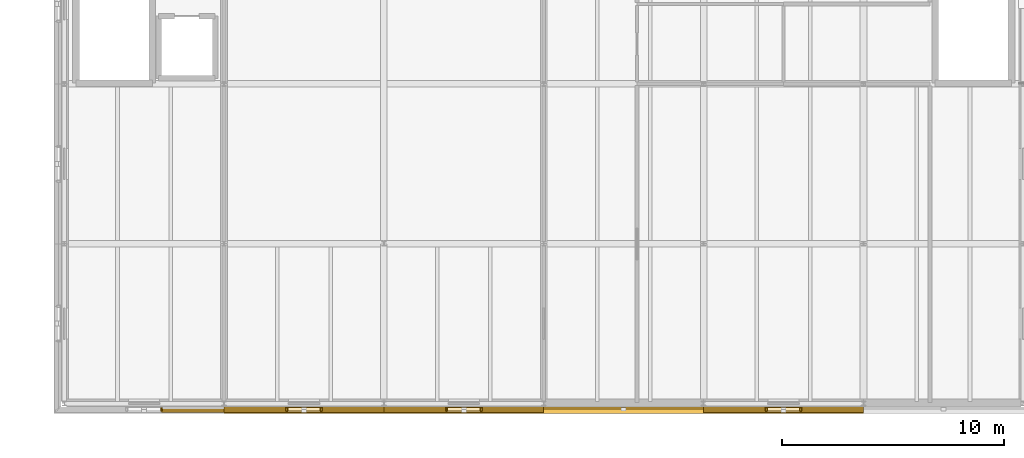
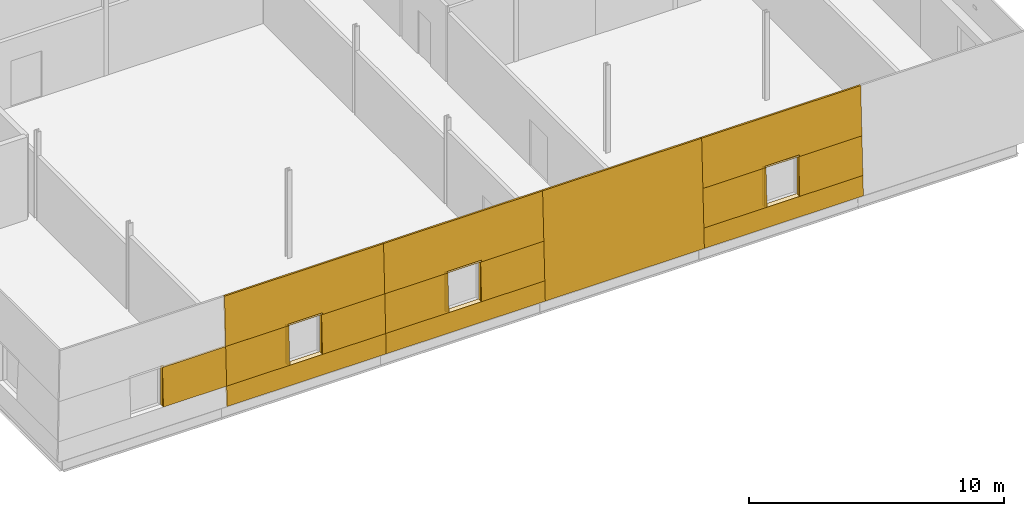
# One storey, part 89 of 91: 27 coverings.
"""IFC4 building model written with IfcOpenShell, lengths in metres."""

import ifcopenshell
import ifcopenshell.guid

model = None  # the IFC model being written
_history = None  # IfcOwnerHistory: only IFC2X3 demands one
_inside = {}  # id of a spatial element -> (the spatial element, [elements in it])
_under = {}  # id of a project, library or spatial element -> (it, [spatial elements below it])
_declared = {}  # id of a project -> (the project, [libraries it declares])
_typed = {}  # id of a type object -> (the type object, [elements of that type])
_made_of = {}  # id of a material, layer set ... -> (it, [elements and type objects made of it])


def new_model(schema):
    """Start an empty IFC model of exactly this schema.

    Asked for "IFC4X3", IfcOpenShell would pick the latest addendum, in which some entities
    have other attributes; the version numbers below select the first issue.
    IFC2X3 requires an IfcOwnerHistory on every rooted entity: one is made here for all.
    """
    global model, _history
    if schema == "IFC4X3":
        model = ifcopenshell.file(schema_version=(4, 3, 0, 0))
    else:
        model = ifcopenshell.file(schema=schema)
    _inside.clear()
    _under.clear()
    _declared.clear()
    _typed.clear()
    _made_of.clear()
    _history = None
    if model.schema == "IFC2X3":
        org = make("IfcOrganization", Name="unknown")
        user = make(
            "IfcPersonAndOrganization",
            ThePerson=make("IfcPerson", FamilyName="unknown"),
            TheOrganization=org,
        )
        app = make(
            "IfcApplication",
            ApplicationDeveloper=org,
            Version="unknown",
            ApplicationFullName="unknown",
            ApplicationIdentifier="unknown",
        )
        _history = make(
            "IfcOwnerHistory",
            OwningUser=user,
            OwningApplication=app,
            ChangeAction="ADDED",
            CreationDate=0,
        )
    return model


def make(cls, **values):
    """One entity of the class cls with the attributes given. An attribute that is None is left unset."""
    return model.create_entity(
        cls, **{name: value for name, value in values.items() if value is not None}
    )


def rooted(cls, **values):
    """An entity with a GlobalId (a new one), such as an element, a storey or a relation."""
    return make(cls, GlobalId=ifcopenshell.guid.new(), OwnerHistory=_history, **values)


def si_unit(unit_type, name, prefix=None):
    """IfcSIUnit, for example si_unit("LENGTHUNIT", "METRE", prefix="MILLI")."""
    return make("IfcSIUnit", UnitType=unit_type, Prefix=prefix, Name=name)


def assignment(units):
    """IfcUnitAssignment: the units of a project."""
    return None if units is None else make("IfcUnitAssignment", Units=units)


def point(xyz):
    """IfcCartesianPoint."""
    return None if xyz is None else make("IfcCartesianPoint", Coordinates=xyz)


def direction(xyz):
    """IfcDirection."""
    return None if xyz is None else make("IfcDirection", DirectionRatios=xyz)


def frame(location, z_axis=None, x_axis=None):
    """IfcAxis2Placement3D, a coordinate frame: its origin and axes. An axis left out is left unset."""
    return make(
        "IfcAxis2Placement3D",
        Location=point(location),
        Axis=direction(z_axis),
        RefDirection=direction(x_axis),
    )


def origin():
    """The frame at (0, 0, 0) with its axes left unset."""
    return frame((0.0, 0.0, 0.0))


def place(relative_to, where):
    """IfcLocalPlacement: puts the frame where relative to a parent placement (None: the world)."""
    return make(
        "IfcLocalPlacement", PlacementRelTo=relative_to, RelativePlacement=where
    )


def context(
    kind, dimensions, precision=None, world=None, true_north=None, identifier=None
):
    """IfcGeometricRepresentationContext, for example the 3D "Model" context."""
    return make(
        "IfcGeometricRepresentationContext",
        ContextIdentifier=identifier,
        ContextType=kind,
        CoordinateSpaceDimension=dimensions,
        Precision=precision,
        WorldCoordinateSystem=world,
        TrueNorth=true_north,
    )


def subcontext(parent, identifier, kind, view, scale=None):
    """IfcGeometricRepresentationSubContext, for example "Body" below "Model"."""
    return make(
        "IfcGeometricRepresentationSubContext",
        ContextIdentifier=identifier,
        ContextType=kind,
        ParentContext=parent,
        TargetScale=scale,
        TargetView=view,
    )


def project(units=None, contexts=None):
    """IfcProject with its units and contexts."""
    return rooted(
        "IfcProject",
        Name="project",
        RepresentationContexts=contexts,
        UnitsInContext=assignment(units),
    )


def spatial(cls, under=None, at=None, **own):
    """A site, building, storey or space (cls), placed at a placement, below another one or the project."""
    s = rooted(cls, ObjectPlacement=at, **own)
    if under is not None:
        _under.setdefault(under.id(), (under, []))[1].append(s)
    return s


def polyline(points):
    """IfcPolyline through the points."""
    return make("IfcPolyline", Points=[point(p) for p in points])


def outline(outer, holes=None, kind="AREA"):
    """IfcArbitraryClosedProfileDef: a profile drawn as a closed curve; with holes, ...WithVoids."""
    if holes is None:
        return make("IfcArbitraryClosedProfileDef", ProfileType=kind, OuterCurve=outer)
    return make(
        "IfcArbitraryProfileDefWithVoids",
        ProfileType=kind,
        OuterCurve=outer,
        InnerCurves=holes,
    )


def extrude(swept, where, along, depth):
    """IfcExtrudedAreaSolid: the profile swept, set in the frame where, extruded along a direction by depth."""
    return make(
        "IfcExtrudedAreaSolid",
        SweptArea=swept,
        Position=where,
        ExtrudedDirection=direction(along),
        Depth=depth,
    )


def shape(context_of_items, identifier, shape_type, items):
    """IfcShapeRepresentation: the items that make up one representation, for example the "Body"."""
    return make(
        "IfcShapeRepresentation",
        ContextOfItems=context_of_items,
        RepresentationIdentifier=identifier,
        RepresentationType=shape_type,
        Items=items,
    )


def material(Name=None, Category=None):
    """IfcMaterial."""
    return make("IfcMaterial", Name=Name, Category=Category)


def layer(
    of_material, thickness, ventilated=None, Name=None, Category=None, Priority=None
):
    """IfcMaterialLayer: one layer of a wall or slab, of a material (None: an air gap)."""
    return make(
        "IfcMaterialLayer",
        Material=of_material,
        LayerThickness=thickness,
        IsVentilated=ventilated,
        Name=Name,
        Category=Category,
        Priority=Priority,
    )


def layer_set(layers, Name=None):
    """IfcMaterialLayerSet."""
    return make("IfcMaterialLayerSet", MaterialLayers=layers, LayerSetName=Name)


def made_of(thing, what):
    """Note that an element or type object is made of a material, layer set ...; save() writes the relation."""
    if what is not None:
        _made_of.setdefault(what.id(), (what, []))[1].append(thing)
    return thing


def type_object(cls, material=None, **own):
    """A type object (cls), such as IfcWallType, which elements share."""
    return made_of(rooted(cls, **own), material)


def element(
    cls,
    number,
    at=None,
    inside=None,
    cuts=None,
    type_object=None,
    material=None,
    context=None,
    identifier="Body",
    shape_type=None,
    held_by="IfcProductDefinitionShape",
    body=None,
    shapes=None,
    **own,
):
    """One element of the class cls, such as IfcWall. Its Tag is "e" and its number.

    at: its placement. inside: the storey or other place that contains it. cuts: it is an
    opening in that element (IfcRelVoidsElement). A single representation is given by context,
    identifier, shape_type and body (its items); several are given by shapes. held_by: the class
    of the entity that holds the representations. save() writes the other relations.
    """
    e = rooted(cls, Tag="e%d" % number, ObjectPlacement=at, **own)
    if body is not None:
        shapes = [shape(context, identifier, shape_type, body)]
    if shapes is not None:
        e.Representation = make(held_by, Representations=shapes)
    if inside is not None:
        _inside.setdefault(inside.id(), (inside, []))[1].append(e)
    if cuts is not None:
        rooted(
            "IfcRelVoidsElement", RelatingBuildingElement=cuts, RelatedOpeningElement=e
        )
    if type_object is not None:
        _typed.setdefault(type_object.id(), (type_object, []))[1].append(e)
    return made_of(e, material)


def aggregate(whole, parts):
    """IfcRelAggregates: a whole, such as a stair, and the parts it consists of."""
    return rooted("IfcRelAggregates", RelatingObject=whole, RelatedObjects=parts)


def save(model, path):
    """Write the relations noted so far, then the file.

    IfcRelAggregates (storeys below a building ...), IfcRelContainedInSpatialStructure (elements
    in a storey), IfcRelDefinesByType, IfcRelAssociatesMaterial and IfcRelDeclares: one each for
    every whole, place, type object, material and project.
    """
    for whole, parts in _under.values():
        aggregate(whole, parts)
    for where, things in _inside.values():
        rooted(
            "IfcRelContainedInSpatialStructure",
            RelatedElements=things,
            RelatingStructure=where,
        )
    for kind, things in _typed.values():
        rooted("IfcRelDefinesByType", RelatedObjects=things, RelatingType=kind)
    for what, things in _made_of.values():
        rooted("IfcRelAssociatesMaterial", RelatedObjects=things, RelatingMaterial=what)
    for by, libraries in _declared.values():
        rooted("IfcRelDeclares", RelatingContext=by, RelatedDefinitions=libraries)
    model.write(path)


model = new_model("IFC4")

# Units and contexts
model_context = context("Model", 3, precision=1e-05, world=origin(), true_north=direction((0.0, 1.0)))
body_context = subcontext(model_context, "Body", "Model", "MODEL_VIEW")
ifc_project = project(units=[si_unit("LENGTHUNIT", "METRE"), si_unit("AREAUNIT", "SQUARE_METRE"), si_unit("VOLUMEUNIT", "CUBIC_METRE"), si_unit("PLANEANGLEUNIT", "RADIAN"), si_unit("MASSUNIT", "GRAM", prefix="KILO")], contexts=[model_context])

# Site, building, storey
site_placement = place(None, origin())
site = spatial("IfcSite", under=ifc_project, at=site_placement, CompositionType="ELEMENT")
building_placement = place(site_placement, origin())
building = spatial("IfcBuilding", under=site, at=building_placement, Name="Narikvali Park Central Library", CompositionType="ELEMENT")
storey_placement = place(building_placement, frame((0.0, 0.0, 14.39990234375)))
storey = spatial("IfcBuildingStorey", under=building, at=storey_placement, Name="L03", CompositionType="ELEMENT", Elevation=14.39990234375)

# Coverings
ifc_material = material(Name="White Honed Limestone Cladding", Category="masonry")
ifc_layer_1 = layer(ifc_material, 0.0849609375, Name="White Honed Limestone Cladding")
ifc_layer_set_1 = layer_set([ifc_layer_1], Name="White Honed Limestone Cladding")
covering_type_1 = type_object("IfcCoveringType", Name="Battered White Limestone Facade Cladding Panel", PredefinedType="CLADDING", material=ifc_layer_set_1)
covering_1_placement = place(storey_placement, frame((126.739990234375, -0.411865234375, 0.9501953125), z_axis=(0.0, -0.999164100603, 0.040879090826), x_axis=(1.0, 0.0, 0.0)))
element("IfcCovering", 1, at=covering_1_placement, inside=storey, type_object=covering_type_1, Name="V6 L03 S Battered Limestone Jamb Pier R B01", PredefinedType="CLADDING", context=body_context, shape_type="SweptSolid", body=[
    extrude(outline(polyline([(0.0, 0.0), (2.860107421875, 0.0), (2.860107421875, 1.8514011006891744), (0.0, 1.8514011006891744), (0.0, 0.0)])), origin(), (0.0, 0.0, -1.0), 0.0849609375),
])
covering_2_placement = place(storey_placement, frame((129.60009765625, -0.45068359375, 0.0), z_axis=(0.0, -0.999166557991, 0.040818983227), x_axis=(1.0, 0.0, 0.0)))
element("IfcCovering", 2, at=covering_2_placement, inside=storey, type_object=covering_type_1, Name="V6 L03 S Battered Limestone Spandrel B02", PredefinedType="CLADDING", context=body_context, shape_type="SweptSolid", body=[
    extrude(outline(polyline([(0.0, 0.0), (7.199951171875, 0.0), (7.199951171875, 0.9509879057703833), (0.0, 0.9509879057703833), (0.0, 0.0)])), origin(), (0.0, 0.0, -1.0), 0.0849609375),
])
covering_3_placement = place(storey_placement, frame((129.60009765625, -0.336181640625, 2.800048828125), z_axis=(0.0, -0.999163385357, 0.040896569066), x_axis=(1.0, 0.0, 0.0)))
element("IfcCovering", 3, at=covering_3_placement, inside=storey, type_object=covering_type_1, Name="V6 L03 S Battered Limestone Lintel B02", PredefinedType="CLADDING", context=body_context, shape_type="SweptSolid", body=[
    extrude(outline(polyline([(0.0, 0.0), (7.199951171875, 0.0), (7.199951171875, 2.352065428628229), (0.0, 2.352065428628229), (0.0, 0.0)])), origin(), (0.0, 0.0, -1.0), 0.0849609375),
])
covering_4_placement = place(storey_placement, frame((129.60009765625, -0.411865234375, 0.9501953125), z_axis=(0.0, -0.999164100603, 0.040879090826), x_axis=(1.0, 0.0, 0.0)))
element("IfcCovering", 4, at=covering_4_placement, inside=storey, type_object=covering_type_1, Name="V6 L03 S Battered Limestone Jamb Pier L B02", PredefinedType="CLADDING", context=body_context, shape_type="SweptSolid", body=[
    extrude(outline(polyline([(0.0, 0.0), (2.85986328125, 0.0), (2.85986328125, 1.8514011006891746), (0.0, 1.8514011006891746), (0.0, 0.0)])), origin(), (0.0, 0.0, -1.0), 0.0849609375),
])
covering_5_placement = place(storey_placement, frame((133.93994140625, -0.411865234375, 0.9501953125), z_axis=(0.0, -0.999164100603, 0.040879090826), x_axis=(1.0, 0.0, 0.0)))
element("IfcCovering", 5, at=covering_5_placement, inside=storey, type_object=covering_type_1, Name="V6 L03 S Battered Limestone Jamb Pier R B02", PredefinedType="CLADDING", context=body_context, shape_type="SweptSolid", body=[
    extrude(outline(polyline([(0.0, 0.0), (2.860107421875, 0.0), (2.860107421875, 1.8514011006891744), (0.0, 1.8514011006891744), (0.0, 0.0)])), origin(), (0.0, 0.0, -1.0), 0.0849609375),
])
covering_6_placement = place(storey_placement, frame((136.800048828125, -0.45068359375, 0.0), z_axis=(0.0, -0.999166557991, 0.040818983227), x_axis=(1.0, 0.0, 0.0)))
element("IfcCovering", 6, at=covering_6_placement, inside=storey, type_object=covering_type_1, Name="V6 L03 S Battered Limestone Spandrel B03", PredefinedType="CLADDING", context=body_context, shape_type="SweptSolid", body=[
    extrude(outline(polyline([(0.0, 0.0), (7.199951171875, 0.0), (7.199951171875, 0.9509879057703833), (0.0, 0.9509879057703833), (0.0, 0.0)])), origin(), (0.0, 0.0, -1.0), 0.0849609375),
])
covering_7_placement = place(storey_placement, frame((136.800048828125, -0.336181640625, 2.800048828125), z_axis=(0.0, -0.999163385357, 0.040896569066), x_axis=(1.0, 0.0, 0.0)))
element("IfcCovering", 7, at=covering_7_placement, inside=storey, type_object=covering_type_1, Name="V6 L03 S Battered Limestone Lintel B03", PredefinedType="CLADDING", context=body_context, shape_type="SweptSolid", body=[
    extrude(outline(polyline([(0.0, 0.0), (7.199951171875, 0.0), (7.199951171875, 2.352065428628229), (0.0, 2.352065428628229), (0.0, 0.0)])), origin(), (0.0, 0.0, -1.0), 0.0849609375),
])
covering_8_placement = place(storey_placement, frame((136.800048828125, -0.411865234375, 0.9501953125), z_axis=(0.0, -0.999164100603, 0.040879090826), x_axis=(1.0, 0.0, 0.0)))
element("IfcCovering", 8, at=covering_8_placement, inside=storey, type_object=covering_type_1, Name="V6 L03 S Battered Limestone Jamb Pier L B03", PredefinedType="CLADDING", context=body_context, shape_type="SweptSolid", body=[
    extrude(outline(polyline([(0.0, 0.0), (2.85986328125, 0.0), (2.85986328125, 1.8514011006891746), (0.0, 1.8514011006891746), (0.0, 0.0)])), origin(), (0.0, 0.0, -1.0), 0.0849609375),
])
covering_9_placement = place(storey_placement, frame((141.139892578125, -0.411865234375, 0.9501953125), z_axis=(0.0, -0.999164100603, 0.040879090826), x_axis=(1.0, 0.0, 0.0)))
element("IfcCovering", 9, at=covering_9_placement, inside=storey, type_object=covering_type_1, Name="V6 L03 S Battered Limestone Jamb Pier R B03", PredefinedType="CLADDING", context=body_context, shape_type="SweptSolid", body=[
    extrude(outline(polyline([(0.0, 0.0), (2.860107421875, 0.0), (2.860107421875, 1.8514011006891744), (0.0, 1.8514011006891744), (0.0, 0.0)])), origin(), (0.0, 0.0, -1.0), 0.0849609375),
])
covering_10_placement = place(storey_placement, frame((144.0, -0.45068359375, 0.0), z_axis=(0.0, -0.999164228006, 0.040875976713), x_axis=(1.0, 0.0, 0.0)))
element("IfcCovering", 10, at=covering_10_placement, inside=storey, type_object=covering_type_1, Name="V6 L03 S Battered Limestone Panel B04", PredefinedType="CLADDING", context=body_context, shape_type="SweptSolid", body=[
    extrude(outline(polyline([(0.0, 0.0), (7.199951171875, 0.0), (7.199951171875, 5.1544544330321616), (0.0, 5.1544544330321616), (0.0, 0.0)])), origin(), (0.0, 0.0, -1.0), 0.0849609375),
])
covering_11_placement = place(storey_placement, frame((151.199951171875, -0.45068359375, 0.0), z_axis=(0.0, -0.999166557991, 0.040818983227), x_axis=(1.0, 0.0, 0.0)))
element("IfcCovering", 11, at=covering_11_placement, inside=storey, type_object=covering_type_1, Name="V6 L03 S Battered Limestone Spandrel B05", PredefinedType="CLADDING", context=body_context, shape_type="SweptSolid", body=[
    extrude(outline(polyline([(0.0, 0.0), (7.199951171875, 0.0), (7.199951171875, 0.9509879057703833), (0.0, 0.9509879057703833), (0.0, 0.0)])), origin(), (0.0, 0.0, -1.0), 0.0849609375),
])
covering_12_placement = place(storey_placement, frame((151.199951171875, -0.336181640625, 2.800048828125), z_axis=(0.0, -0.999163385357, 0.040896569066), x_axis=(1.0, 0.0, 0.0)))
element("IfcCovering", 12, at=covering_12_placement, inside=storey, type_object=covering_type_1, Name="V6 L03 S Battered Limestone Lintel B05", PredefinedType="CLADDING", context=body_context, shape_type="SweptSolid", body=[
    extrude(outline(polyline([(0.0, 0.0), (7.199951171875, 0.0), (7.199951171875, 2.352065428628229), (0.0, 2.352065428628229), (0.0, 0.0)])), origin(), (0.0, 0.0, -1.0), 0.0849609375),
])
covering_13_placement = place(storey_placement, frame((151.199951171875, -0.411865234375, 0.9501953125), z_axis=(0.0, -0.999164100603, 0.040879090826), x_axis=(1.0, 0.0, 0.0)))
element("IfcCovering", 13, at=covering_13_placement, inside=storey, type_object=covering_type_1, Name="V6 L03 S Battered Limestone Jamb Pier L B05", PredefinedType="CLADDING", context=body_context, shape_type="SweptSolid", body=[
    extrude(outline(polyline([(0.0, 0.0), (2.860107421875, 0.0), (2.860107421875, 1.8514011006891744), (0.0, 1.8514011006891744), (0.0, 0.0)])), origin(), (0.0, 0.0, -1.0), 0.0849609375),
])
covering_14_placement = place(storey_placement, frame((155.5400390625, -0.411865234375, 0.9501953125), z_axis=(0.0, -0.999164100603, 0.040879090826), x_axis=(1.0, 0.0, 0.0)))
element("IfcCovering", 14, at=covering_14_placement, inside=storey, type_object=covering_type_1, Name="V6 L03 S Battered Limestone Jamb Pier R B05", PredefinedType="CLADDING", context=body_context, shape_type="SweptSolid", body=[
    extrude(outline(polyline([(0.0, 0.0), (2.85986328125, 0.0), (2.85986328125, 1.8514011006891746), (0.0, 1.8514011006891746), (0.0, 0.0)])), origin(), (0.0, 0.0, -1.0), 0.0849609375),
])
ifc_layer_2 = layer(ifc_material, 0.080078125, Name="White Honed Limestone Cladding")
ifc_layer_set_2 = layer_set([ifc_layer_2], Name="White Honed Limestone Cladding")
covering_type_2 = type_object("IfcCoveringType", Name="Deep Carved White Limestone Window Reveal", PredefinedType="CLADDING", material=ifc_layer_set_2)
covering_15_placement = place(storey_placement, frame((0.0, 0.0, 0.9501953125)))
element("IfcCovering", 15, at=covering_15_placement, inside=storey, type_object=covering_type_2, Name="Deep Stone Reveal Jamb R V6-RVL-L03-S-B01", PredefinedType="CLADDING", context=body_context, shape_type="SweptSolid", body=[
    extrude(outline(polyline([(126.739990234375, -0.18505859375), (126.820068359375, -0.18505859375), (126.820068359375, -0.336181640625), (126.739990234375, -0.336181640625), (126.739990234375, -0.18505859375)])), origin(), (0.0, 0.0, 1.0), 1.849853515625),
])
covering_16_placement = place(storey_placement, frame((0.0, 0.0, 2.800048828125)))
element("IfcCovering", 16, at=covering_16_placement, inside=storey, type_object=covering_type_2, Name="Deep Stone Reveal Head V6-RVL-L03-S-B02", PredefinedType="CLADDING", context=body_context, shape_type="SweptSolid", body=[
    extrude(outline(polyline([(132.419921875, -0.18505859375), (133.97998046875, -0.18505859375), (133.97998046875, -0.336181640625), (132.419921875, -0.336181640625), (132.419921875, -0.18505859375)])), origin(), (0.0, 0.0, 1.0), 0.080078125),
])
covering_17_placement = place(storey_placement, frame((0.0, 0.0, 0.8701171875)))
element("IfcCovering", 17, at=covering_17_placement, inside=storey, type_object=covering_type_2, Name="Deep Stone Reveal Sill V6-RVL-L03-S-B02", PredefinedType="CLADDING", context=body_context, shape_type="SweptSolid", body=[
    extrude(outline(polyline([(132.419921875, -0.18505859375), (133.97998046875, -0.18505859375), (133.97998046875, -0.411865234375), (132.419921875, -0.411865234375), (132.419921875, -0.18505859375)])), origin(), (0.0, 0.0, 1.0), 0.080078125),
])
covering_18_placement = place(storey_placement, frame((0.0, 0.0, 0.9501953125)))
element("IfcCovering", 18, at=covering_18_placement, inside=storey, type_object=covering_type_2, Name="Deep Stone Reveal Jamb L V6-RVL-L03-S-B02", PredefinedType="CLADDING", context=body_context, shape_type="SweptSolid", body=[
    extrude(outline(polyline([(132.3798828125, -0.18505859375), (132.4599609375, -0.18505859375), (132.4599609375, -0.336181640625), (132.3798828125, -0.336181640625), (132.3798828125, -0.18505859375)])), origin(), (0.0, 0.0, 1.0), 1.849853515625),
])
covering_19_placement = place(storey_placement, frame((0.0, 0.0, 0.9501953125)))
element("IfcCovering", 19, at=covering_19_placement, inside=storey, type_object=covering_type_2, Name="Deep Stone Reveal Jamb R V6-RVL-L03-S-B02", PredefinedType="CLADDING", context=body_context, shape_type="SweptSolid", body=[
    extrude(outline(polyline([(133.93994140625, -0.18505859375), (134.02001953125, -0.18505859375), (134.02001953125, -0.336181640625), (133.93994140625, -0.336181640625), (133.93994140625, -0.18505859375)])), origin(), (0.0, 0.0, 1.0), 1.849853515625),
])
covering_20_placement = place(storey_placement, frame((0.0, 0.0, 2.800048828125)))
element("IfcCovering", 20, at=covering_20_placement, inside=storey, type_object=covering_type_2, Name="Deep Stone Reveal Head V6-RVL-L03-S-B03", PredefinedType="CLADDING", context=body_context, shape_type="SweptSolid", body=[
    extrude(outline(polyline([(139.6201171875, -0.18505859375), (141.179931640625, -0.18505859375), (141.179931640625, -0.336181640625), (139.6201171875, -0.336181640625), (139.6201171875, -0.18505859375)])), origin(), (0.0, 0.0, 1.0), 0.080078125),
])
covering_21_placement = place(storey_placement, frame((0.0, 0.0, 0.8701171875)))
element("IfcCovering", 21, at=covering_21_placement, inside=storey, type_object=covering_type_2, Name="Deep Stone Reveal Sill V6-RVL-L03-S-B03", PredefinedType="CLADDING", context=body_context, shape_type="SweptSolid", body=[
    extrude(outline(polyline([(139.6201171875, -0.18505859375), (141.179931640625, -0.18505859375), (141.179931640625, -0.411865234375), (139.6201171875, -0.411865234375), (139.6201171875, -0.18505859375)])), origin(), (0.0, 0.0, 1.0), 0.080078125),
])
covering_22_placement = place(storey_placement, frame((0.0, 0.0, 0.9501953125)))
element("IfcCovering", 22, at=covering_22_placement, inside=storey, type_object=covering_type_2, Name="Deep Stone Reveal Jamb L V6-RVL-L03-S-B03", PredefinedType="CLADDING", context=body_context, shape_type="SweptSolid", body=[
    extrude(outline(polyline([(139.580078125, -0.18505859375), (139.659912109375, -0.18505859375), (139.659912109375, -0.336181640625), (139.580078125, -0.336181640625), (139.580078125, -0.18505859375)])), origin(), (0.0, 0.0, 1.0), 1.849853515625),
])
covering_23_placement = place(storey_placement, frame((0.0, 0.0, 0.9501953125)))
element("IfcCovering", 23, at=covering_23_placement, inside=storey, type_object=covering_type_2, Name="Deep Stone Reveal Jamb R V6-RVL-L03-S-B03", PredefinedType="CLADDING", context=body_context, shape_type="SweptSolid", body=[
    extrude(outline(polyline([(141.139892578125, -0.18505859375), (141.219970703125, -0.18505859375), (141.219970703125, -0.336181640625), (141.139892578125, -0.336181640625), (141.139892578125, -0.18505859375)])), origin(), (0.0, 0.0, 1.0), 1.849853515625),
])
covering_24_placement = place(storey_placement, frame((0.0, 0.0, 2.800048828125)))
element("IfcCovering", 24, at=covering_24_placement, inside=storey, type_object=covering_type_2, Name="Deep Stone Reveal Head V6-RVL-L03-S-B05", PredefinedType="CLADDING", context=body_context, shape_type="SweptSolid", body=[
    extrude(outline(polyline([(154.02001953125, -0.18505859375), (155.580078125, -0.18505859375), (155.580078125, -0.336181640625), (154.02001953125, -0.336181640625), (154.02001953125, -0.18505859375)])), origin(), (0.0, 0.0, 1.0), 0.080078125),
])
covering_25_placement = place(storey_placement, frame((0.0, 0.0, 0.8701171875)))
element("IfcCovering", 25, at=covering_25_placement, inside=storey, type_object=covering_type_2, Name="Deep Stone Reveal Sill V6-RVL-L03-S-B05", PredefinedType="CLADDING", context=body_context, shape_type="SweptSolid", body=[
    extrude(outline(polyline([(154.02001953125, -0.18505859375), (155.580078125, -0.18505859375), (155.580078125, -0.411865234375), (154.02001953125, -0.411865234375), (154.02001953125, -0.18505859375)])), origin(), (0.0, 0.0, 1.0), 0.080078125),
])
covering_26_placement = place(storey_placement, frame((0.0, 0.0, 0.9501953125)))
element("IfcCovering", 26, at=covering_26_placement, inside=storey, type_object=covering_type_2, Name="Deep Stone Reveal Jamb L V6-RVL-L03-S-B05", PredefinedType="CLADDING", context=body_context, shape_type="SweptSolid", body=[
    extrude(outline(polyline([(153.97998046875, -0.18505859375), (154.06005859375, -0.18505859375), (154.06005859375, -0.336181640625), (153.97998046875, -0.336181640625), (153.97998046875, -0.18505859375)])), origin(), (0.0, 0.0, 1.0), 1.849853515625),
])
covering_27_placement = place(storey_placement, frame((0.0, 0.0, 0.9501953125)))
element("IfcCovering", 27, at=covering_27_placement, inside=storey, type_object=covering_type_2, Name="Deep Stone Reveal Jamb R V6-RVL-L03-S-B05", PredefinedType="CLADDING", context=body_context, shape_type="SweptSolid", body=[
    extrude(outline(polyline([(155.5400390625, -0.18505859375), (155.6201171875, -0.18505859375), (155.6201171875, -0.336181640625), (155.5400390625, -0.336181640625), (155.5400390625, -0.18505859375)])), origin(), (0.0, 0.0, 1.0), 1.849853515625),
])

save(model, "model.ifc")
